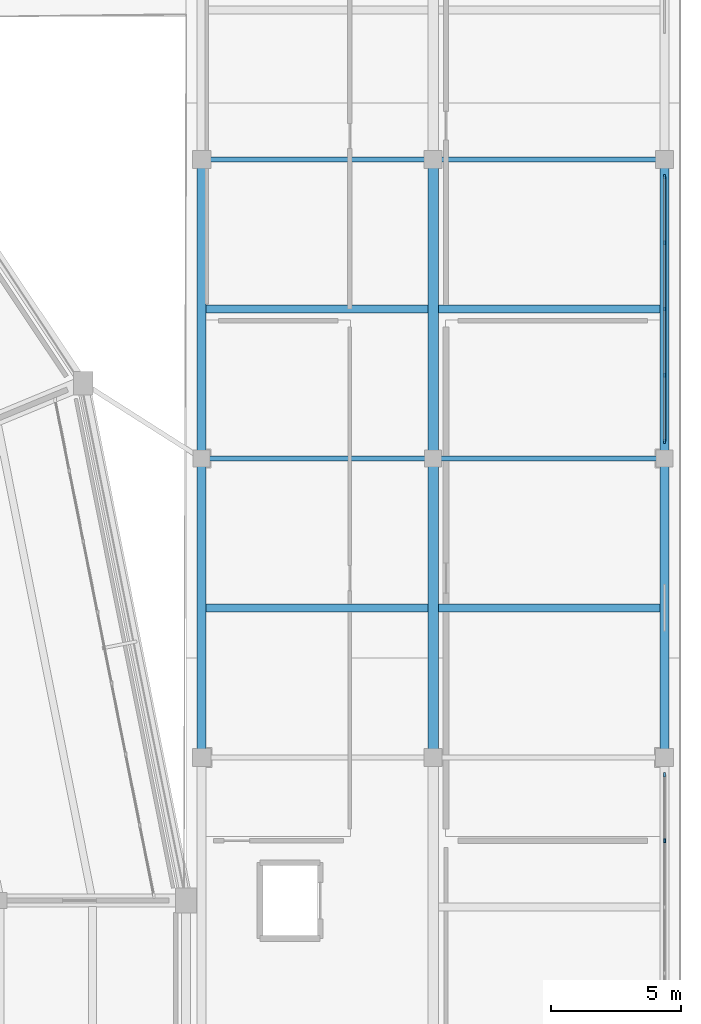
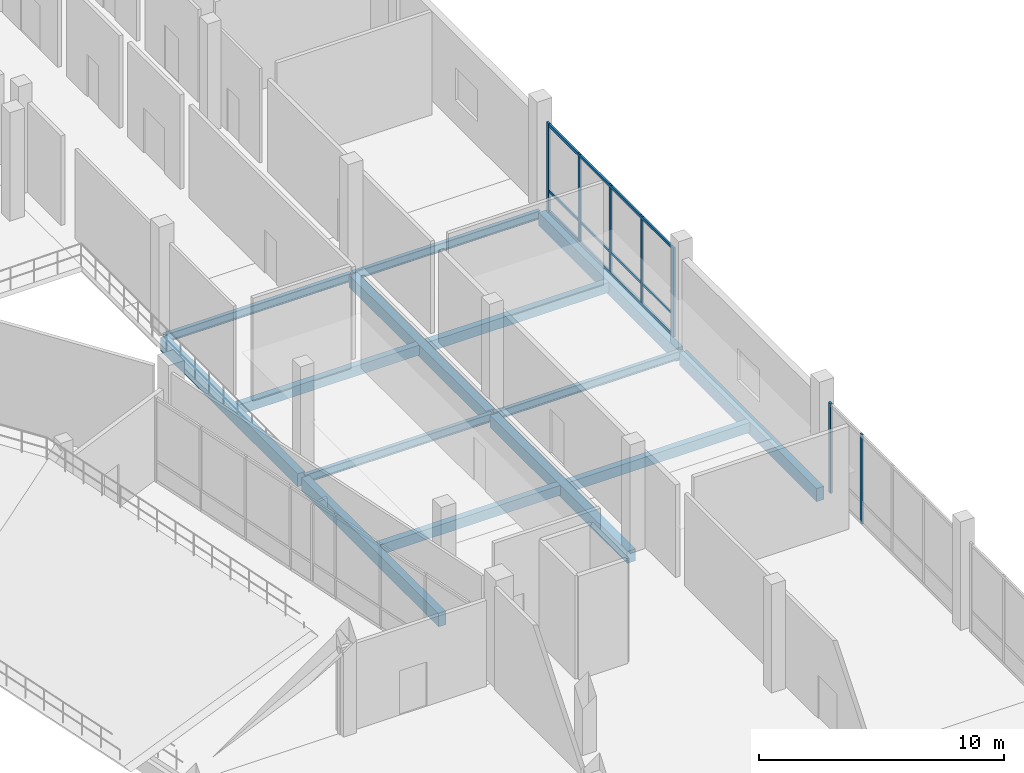
# One storey, part 45 of 127: 14 beams, 10 members, 2 elements without a shape of their own.
"""IFC4 building model written with IfcOpenShell, lengths in metres."""

from ifc_helpers import new_model, si_unit, direction, frame, origin, origin_2d, place, context, subcontext, project, spatial, rectangle, i_section, extrude, material, material_profile, profile_set, type_object, element, aggregate, save


model = new_model("IFC4")

# Units and contexts
model_context = context("Model", 3, precision=1e-05, world=origin(), true_north=direction((0.0, 1.0)))
body_context = subcontext(model_context, "Body", "Model", "MODEL_VIEW")
ifc_project = project(units=[si_unit("LENGTHUNIT", "METRE"), si_unit("AREAUNIT", "SQUARE_METRE"), si_unit("VOLUMEUNIT", "CUBIC_METRE"), si_unit("PLANEANGLEUNIT", "RADIAN"), si_unit("MASSUNIT", "GRAM", prefix="KILO")], contexts=[model_context])

# Site, building, storey
site_placement = place(None, origin())
site = spatial("IfcSite", under=ifc_project, at=site_placement, CompositionType="ELEMENT")
building_placement = place(site_placement, origin())
building = spatial("IfcBuilding", under=site, at=building_placement, Name="Candeia Ridge Stadium", CompositionType="ELEMENT")
storey_placement = place(building_placement, frame((0.0, 0.0, 10.800048828125)))
storey = spatial("IfcBuildingStorey", under=building, at=storey_placement, Name="L02", CompositionType="ELEMENT", Elevation=10.800048828125)

# Curtain wall, member
ifc_material_1 = material(Name="Aluminium Anodized Warm Bronze", Category="aluminium")
curtain_wall_type = type_object("IfcCurtainWallType", Name="Cardinal Entrance Gate Tall Glazed Curtain Wall", PredefinedType="NOTDEFINED", material=ifc_material_1)
curtain_wall_1_placement = place(storey_placement, origin())
curtain_wall_1 = element("IfcCurtainWall", 1, at=curtain_wall_1_placement, inside=storey, type_object=curtain_wall_type, Name="Unitised curtain wall CW-WNG-L02-109", PredefinedType="NOTDEFINED")
ifc_material_profile_1 = material_profile(ifc_material_1, rectangle(XDim=0.090087890625, YDim=0.179931640625, at=origin_2d()), Name="CWM-90x180", Category="aluminium")
ifc_profile_set_1 = profile_set([ifc_material_profile_1], Name="Aluminium Anodized Warm Bronze")
member_type_1 = type_object("IfcMemberType", Name="Curtain Wall Primary Mullion 90x180", PredefinedType="MULLION", material=ifc_profile_set_1)
member_1_placement = place(storey_placement, frame((211.39990234375, 99.840087890625, 0.0), z_axis=(0.0, 0.0, 1.0), x_axis=(1.0, 0.0, 0.0)))
member_1 = element("IfcMember", 2, at=member_1_placement, type_object=member_type_1, Name="Curtain wall mullion CW-WNG-L02-109-M4", PredefinedType="MULLION", context=body_context, shape_type="SweptSolid", body=[
    extrude(rectangle(XDim=0.090087890625, YDim=0.179931640625, at=origin_2d()), origin(), (0.0, 0.0, 1.0), 4.454833984375),
])

# Curtain wall, members
curtain_wall_2_placement = place(storey_placement, origin())
curtain_wall_2 = element("IfcCurtainWall", 3, at=curtain_wall_2_placement, inside=storey, type_object=curtain_wall_type, Name="Unitised curtain wall CW-WNG-L02-110", PredefinedType="NOTDEFINED")
member_2_placement = place(storey_placement, frame((211.39990234375, 112.659912109375, 0.0), z_axis=(0.0, 0.0, 1.0), x_axis=(1.0, 0.0, 0.0)))
member_2 = element("IfcMember", 4, at=member_2_placement, type_object=member_type_1, Name="Curtain wall mullion CW-WNG-L02-110-M0", PredefinedType="MULLION", context=body_context, shape_type="SweptSolid", body=[
    extrude(rectangle(XDim=0.090087890625, YDim=0.179931640625, at=origin_2d()), origin(), (0.0, 0.0, 1.0), 4.454833984375),
])
member_3_placement = place(storey_placement, frame((211.39990234375, 122.840087890625, 0.0), z_axis=(0.0, 0.0, 1.0), x_axis=(1.0, 0.0, 0.0)))
member_3 = element("IfcMember", 5, at=member_3_placement, type_object=member_type_1, Name="Curtain wall mullion CW-WNG-L02-110-M4", PredefinedType="MULLION", context=body_context, shape_type="SweptSolid", body=[
    extrude(rectangle(XDim=0.090087890625, YDim=0.179931640625, at=origin_2d()), origin(), (0.0, 0.0, 1.0), 4.454833984375),
])

# Member
ifc_material_profile_2 = material_profile(ifc_material_1, rectangle(XDim=0.074951171875, YDim=0.14990234375, at=origin_2d()), Name="CWM-75x150", Category="aluminium")
ifc_profile_set_2 = profile_set([ifc_material_profile_2], Name="Aluminium Anodized Warm Bronze")
member_type_2 = type_object("IfcMemberType", Name="Curtain Wall Secondary Mullion 75x150", PredefinedType="MULLION", material=ifc_profile_set_2)
member_4_placement = place(storey_placement, frame((211.39990234375, 97.294921875, 0.0), z_axis=(0.0, 0.0, 1.0), x_axis=(1.0, 0.0, 0.0)))
member_4 = element("IfcMember", 6, at=member_4_placement, type_object=member_type_2, Name="Curtain wall mullion CW-WNG-L02-109-M3", PredefinedType="MULLION", context=body_context, shape_type="SweptSolid", body=[
    extrude(rectangle(XDim=0.074951171875, YDim=0.14990234375, at=origin_2d()), origin(), (0.0, 0.0, 1.0), 4.454833984375),
])

aggregate(curtain_wall_1, [member_4, member_1])

member_5_placement = place(storey_placement, frame((211.39990234375, 115.205078125, 0.0), z_axis=(0.0, 0.0, 1.0), x_axis=(1.0, 0.0, 0.0)))
member_5 = element("IfcMember", 7, at=member_5_placement, type_object=member_type_2, Name="Curtain wall mullion CW-WNG-L02-110-M1", PredefinedType="MULLION", context=body_context, shape_type="SweptSolid", body=[
    extrude(rectangle(XDim=0.074951171875, YDim=0.14990234375, at=origin_2d()), origin(), (0.0, 0.0, 1.0), 4.454833984375),
])

member_6_placement = place(storey_placement, frame((211.39990234375, 117.75, 0.0), z_axis=(0.0, 0.0, 1.0), x_axis=(1.0, 0.0, 0.0)))
member_6 = element("IfcMember", 8, at=member_6_placement, type_object=member_type_2, Name="Curtain wall mullion CW-WNG-L02-110-M2", PredefinedType="MULLION", context=body_context, shape_type="SweptSolid", body=[
    extrude(rectangle(XDim=0.074951171875, YDim=0.14990234375, at=origin_2d()), origin(), (0.0, 0.0, 1.0), 4.454833984375),
])

member_7_placement = place(storey_placement, frame((211.39990234375, 120.294921875, 0.0), z_axis=(0.0, 0.0, 1.0), x_axis=(1.0, 0.0, 0.0)))
member_7 = element("IfcMember", 9, at=member_7_placement, type_object=member_type_2, Name="Curtain wall mullion CW-WNG-L02-110-M3", PredefinedType="MULLION", context=body_context, shape_type="SweptSolid", body=[
    extrude(rectangle(XDim=0.074951171875, YDim=0.14990234375, at=origin_2d()), origin(), (0.0, 0.0, 1.0), 4.454833984375),
])

ifc_material_profile_3 = material_profile(ifc_material_1, rectangle(XDim=0.074951171875, YDim=0.110107421875, at=origin_2d()), Name="CWT-75x110", Category="aluminium")
ifc_profile_set_3 = profile_set([ifc_material_profile_3], Name="Aluminium Anodized Warm Bronze")
member_type_3 = type_object("IfcMemberType", Name="Curtain Wall Secondary Transom 75x110", PredefinedType="USERDEFINED", material=ifc_profile_set_3)
member_8_placement = place(storey_placement, frame((211.39990234375, 112.659912109375, 1.099853515625), z_axis=(0.0, 1.0, 0.0), x_axis=(-1.0, 0.0, 0.0)))
member_8 = element("IfcMember", 10, at=member_8_placement, type_object=member_type_3, Name="Curtain wall transom CW-WNG-L02-110-T1", ObjectType="TRANSOM", PredefinedType="USERDEFINED", context=body_context, shape_type="SweptSolid", body=[
    extrude(rectangle(XDim=0.074951171875, YDim=0.110107421875, at=origin_2d()), origin(), (0.0, 0.0, 1.0), 10.18017578125),
])

ifc_material_profile_4 = material_profile(ifc_material_1, rectangle(XDim=0.090087890625, YDim=0.139892578125, at=origin_2d()), Name="CWT-90x140", Category="aluminium")
ifc_profile_set_4 = profile_set([ifc_material_profile_4], Name="Aluminium Anodized Warm Bronze")
member_type_4 = type_object("IfcMemberType", Name="Curtain Wall Transom 90x140", PredefinedType="USERDEFINED", material=ifc_profile_set_4)
member_9_placement = place(storey_placement, frame((211.39990234375, 112.659912109375, 0.070068359375), z_axis=(0.0, 1.0, 0.0), x_axis=(-1.0, 0.0, 0.0)))
member_9 = element("IfcMember", 11, at=member_9_placement, type_object=member_type_4, Name="Curtain wall transom CW-WNG-L02-110-T0", ObjectType="TRANSOM", PredefinedType="USERDEFINED", context=body_context, shape_type="SweptSolid", body=[
    extrude(rectangle(XDim=0.090087890625, YDim=0.139892578125, at=origin_2d()), origin(), (0.0, 0.0, 1.0), 10.18017578125),
])

member_10_placement = place(storey_placement, frame((211.39990234375, 112.659912109375, 4.385009765625), z_axis=(0.0, 1.0, 0.0), x_axis=(-1.0, 0.0, 0.0)))
member_10 = element("IfcMember", 12, at=member_10_placement, type_object=member_type_4, Name="Curtain wall transom CW-WNG-L02-110-T2", ObjectType="TRANSOM", PredefinedType="USERDEFINED", context=body_context, shape_type="SweptSolid", body=[
    extrude(rectangle(XDim=0.090087890625, YDim=0.139892578125, at=origin_2d()), origin(), (0.0, 0.0, 1.0), 10.18017578125),
])

aggregate(curtain_wall_2, [member_2, member_5, member_6, member_7, member_3, member_9, member_8, member_10])

# Beams
ifc_material_2 = material(Name="Concrete C40/50", Category="concrete")
ifc_material_profile_5 = material_profile(ifc_material_2, rectangle(XDim=0.300048828125, YDim=0.5, at=origin_2d()), Name="RC300x500", Category="concrete")
ifc_profile_set_5 = profile_set([ifc_material_profile_5], Name="Concrete C40/50")
beam_type_1 = type_object("IfcBeamType", Name="Floor Joist RC300x500", PredefinedType="JOIST", material=ifc_profile_set_5)
for number, where, z_axis, x_axis, name in (
    (13, (193.7744140625, 106.25, -0.510009765625), (1.0, 0.0, 0.0), (0.0, 1.0, 0.0), "Wing secondary joist BM-L02-1660"),
    (14, (193.7744140625, 117.75, -0.510009765625), (1.0, 0.0, 0.0), (0.0, 1.0, 0.0), "Wing secondary joist BM-L02-1662"),
    (15, (202.699462890625, 106.25, -0.510009765625), (1.0, 0.0, 0.0), (0.0, 1.0, 0.0), "Wing secondary joist BM-L02-1682"),
    (16, (202.699462890625, 117.75, -0.510009765625), (1.0, 0.0, 0.0), (0.0, 1.0, 0.0), "Wing secondary joist BM-L02-1684"),
):
    element("IfcBeam", number, at=place(storey_placement, frame(where, z_axis=z_axis, x_axis=x_axis)), inside=storey, type_object=beam_type_1, Name=name, PredefinedType="JOIST", context=body_context, shape_type="SweptSolid", body=[
        extrude(rectangle(XDim=0.300048828125, YDim=0.5, at=origin_2d()), origin(), (0.0, 0.0, 1.0), 8.526123046875),
    ])
ifc_material_profile_6 = material_profile(ifc_material_2, rectangle(XDim=0.39990234375, YDim=0.60009765625, at=origin_2d()), Name="RC400x600", Category="concrete")
ifc_profile_set_6 = profile_set([ifc_material_profile_6], Name="Concrete C40/50")
beam_type_2 = type_object("IfcBeamType", Name="Frame Girder RC400x600", PredefinedType="BEAM", material=ifc_profile_set_6)
for number, where, z_axis, x_axis, name in (
    (17, (202.5, 100.659912109375, -0.56005859375), (0.0, 1.0, 0.0), (-1.0, 0.0, 0.0), "Structural girder BM-L02-1632"),
    (18, (202.5, 112.159912109375, -0.56005859375), (0.0, 1.0, 0.0), (-1.0, 0.0, 0.0), "Structural girder BM-L02-1633"),
):
    element("IfcBeam", number, at=place(storey_placement, frame(where, z_axis=z_axis, x_axis=x_axis)), inside=storey, type_object=beam_type_2, Name=name, PredefinedType="BEAM", context=body_context, shape_type="SweptSolid", body=[
        extrude(rectangle(XDim=0.39990234375, YDim=0.60009765625, at=origin_2d()), origin(), (0.0, 0.0, 1.0), 11.18017578125),
    ])
ifc_material_profile_7 = material_profile(ifc_material_2, rectangle(XDim=0.35009765625, YDim=0.64990234375, at=origin_2d()), Name="RC350x650", Category="concrete")
ifc_profile_set_7 = profile_set([ifc_material_profile_7], Name="Concrete C40/50")
beam_type_3 = type_object("IfcBeamType", Name="Spandrel Beam RC350x650", PredefinedType="SPANDREL", material=ifc_profile_set_7)
for number, where, z_axis, x_axis, name in (
    (19, (193.60009765625, 100.659912109375, -0.5849609375), (0.0, 1.0, 0.0), (-1.0, 0.0, 0.0), "Structural girder BM-L02-1621"),
    (20, (193.60009765625, 112.159912109375, -0.5849609375), (0.0, 1.0, 0.0), (-1.0, 0.0, 0.0), "Structural girder BM-L02-1622"),
    (21, (211.39990234375, 100.659912109375, -0.5849609375), (0.0, 1.0, 0.0), (-1.0, 0.0, 0.0), "Structural girder BM-L02-1643"),
    (22, (211.39990234375, 112.159912109375, -0.5849609375), (0.0, 1.0, 0.0), (-1.0, 0.0, 0.0), "Structural girder BM-L02-1644"),
):
    element("IfcBeam", number, at=place(storey_placement, frame(where, z_axis=z_axis, x_axis=x_axis)), inside=storey, type_object=beam_type_3, Name=name, PredefinedType="SPANDREL", context=body_context, shape_type="SweptSolid", body=[
        extrude(rectangle(XDim=0.35009765625, YDim=0.64990234375, at=origin_2d()), origin(), (0.0, 0.0, 1.0), 11.18017578125),
    ])
ifc_material_3 = material(Name="Steel ASTM A572 Grade 50", Category="steel")
ifc_material_profile_8 = material_profile(ifc_material_3, i_section(OverallWidth=0.178955078125, OverallDepth=0.409912109375, WebThickness=0.0087890625, FlangeThickness=0.014404296875, FilletRadius=0.011962890625, at=origin_2d()), Name="W410x67", Category="steel")
ifc_profile_set_8 = profile_set([ifc_material_profile_8], Name="Steel ASTM A572 Grade 50")
beam_type_4 = type_object("IfcBeamType", Name="Warm-Up Hall Girder W410x67", PredefinedType="BEAM", material=ifc_profile_set_8)
for number, where, z_axis, x_axis, name in (
    (23, (193.64990234375, 112.0, -0.465087890625), (1.0, 0.0, 0.0), (0.0, 1.0, 0.0), "Structural girder BM-L02-1661"),
    (24, (193.64990234375, 123.5, -0.465087890625), (1.0, 0.0, 0.0), (0.0, 1.0, 0.0), "Structural girder BM-L02-1663"),
    (25, (202.550048828125, 112.0, -0.465087890625), (1.0, 0.0, 0.0), (0.0, 1.0, 0.0), "Structural girder BM-L02-1683"),
    (26, (202.550048828125, 123.5, -0.465087890625), (1.0, 0.0, 0.0), (0.0, 1.0, 0.0), "Structural girder BM-L02-1685"),
):
    element("IfcBeam", number, at=place(storey_placement, frame(where, z_axis=z_axis, x_axis=x_axis)), inside=storey, type_object=beam_type_4, Name=name, PredefinedType="BEAM", context=body_context, shape_type="SweptSolid", body=[
        extrude(i_section(OverallWidth=0.178955078125, OverallDepth=0.409912109375, WebThickness=0.0087890625, FlangeThickness=0.014404296875, FilletRadius=0.011962890625, at=origin_2d()), origin(), (0.0, 0.0, 1.0), 8.800048828125),
    ])

save(model, "model.ifc")
